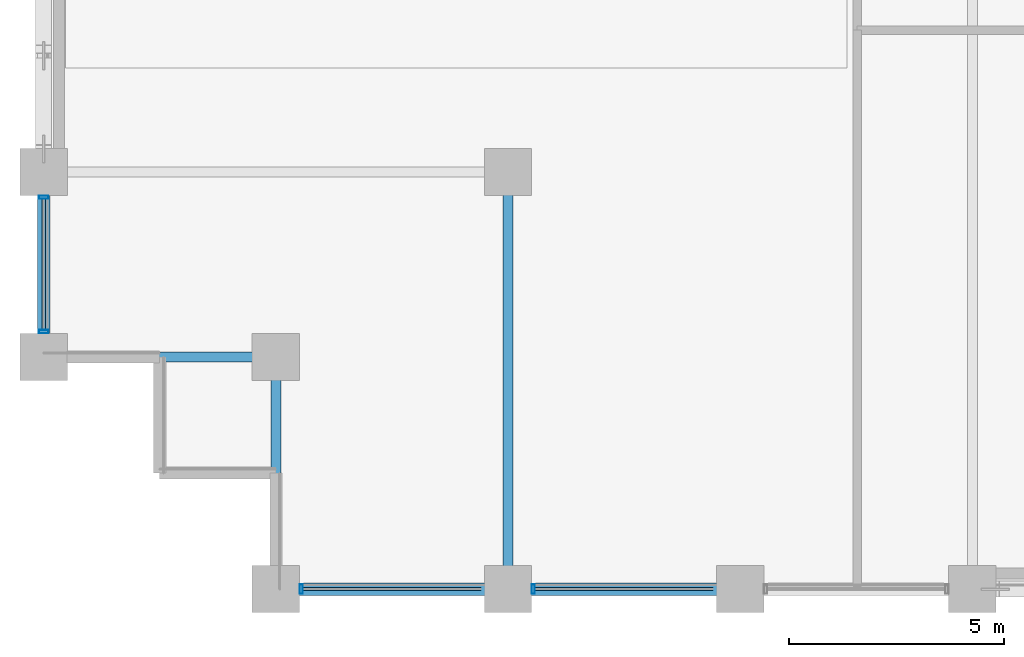
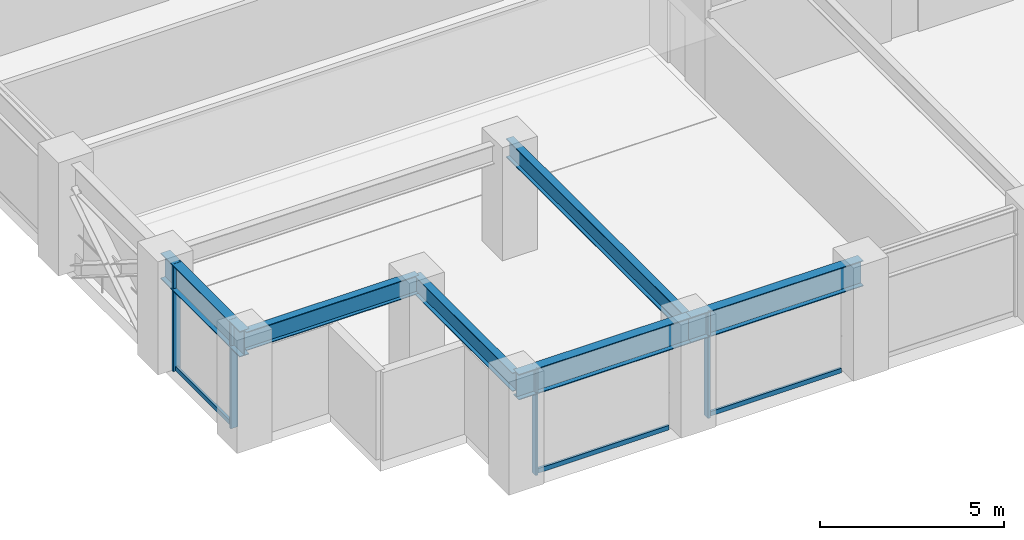
# One storey, part 3 of 30: 7 members, 6 beams, 2 elements without a shape of their own.
"""IFC4 building model written with IfcOpenShell, lengths in metres."""

import ifcopenshell
import ifcopenshell.guid

model = None  # the IFC model being written
_history = None  # IfcOwnerHistory: only IFC2X3 demands one
_inside = {}  # id of a spatial element -> (the spatial element, [elements in it])
_under = {}  # id of a project, library or spatial element -> (it, [spatial elements below it])
_declared = {}  # id of a project -> (the project, [libraries it declares])
_typed = {}  # id of a type object -> (the type object, [elements of that type])
_made_of = {}  # id of a material, layer set ... -> (it, [elements and type objects made of it])


def new_model(schema):
    """Start an empty IFC model of exactly this schema.

    Asked for "IFC4X3", IfcOpenShell would pick the latest addendum, in which some entities
    have other attributes; the version numbers below select the first issue.
    IFC2X3 requires an IfcOwnerHistory on every rooted entity: one is made here for all.
    """
    global model, _history
    if schema == "IFC4X3":
        model = ifcopenshell.file(schema_version=(4, 3, 0, 0))
    else:
        model = ifcopenshell.file(schema=schema)
    _inside.clear()
    _under.clear()
    _declared.clear()
    _typed.clear()
    _made_of.clear()
    _history = None
    if model.schema == "IFC2X3":
        org = make("IfcOrganization", Name="unknown")
        user = make(
            "IfcPersonAndOrganization",
            ThePerson=make("IfcPerson", FamilyName="unknown"),
            TheOrganization=org,
        )
        app = make(
            "IfcApplication",
            ApplicationDeveloper=org,
            Version="unknown",
            ApplicationFullName="unknown",
            ApplicationIdentifier="unknown",
        )
        _history = make(
            "IfcOwnerHistory",
            OwningUser=user,
            OwningApplication=app,
            ChangeAction="ADDED",
            CreationDate=0,
        )
    return model


def make(cls, **values):
    """One entity of the class cls with the attributes given. An attribute that is None is left unset."""
    return model.create_entity(
        cls, **{name: value for name, value in values.items() if value is not None}
    )


def rooted(cls, **values):
    """An entity with a GlobalId (a new one), such as an element, a storey or a relation."""
    return make(cls, GlobalId=ifcopenshell.guid.new(), OwnerHistory=_history, **values)


def si_unit(unit_type, name, prefix=None):
    """IfcSIUnit, for example si_unit("LENGTHUNIT", "METRE", prefix="MILLI")."""
    return make("IfcSIUnit", UnitType=unit_type, Prefix=prefix, Name=name)


def assignment(units):
    """IfcUnitAssignment: the units of a project."""
    return None if units is None else make("IfcUnitAssignment", Units=units)


def point(xyz):
    """IfcCartesianPoint."""
    return None if xyz is None else make("IfcCartesianPoint", Coordinates=xyz)


def direction(xyz):
    """IfcDirection."""
    return None if xyz is None else make("IfcDirection", DirectionRatios=xyz)


def frame(location, z_axis=None, x_axis=None):
    """IfcAxis2Placement3D, a coordinate frame: its origin and axes. An axis left out is left unset."""
    return make(
        "IfcAxis2Placement3D",
        Location=point(location),
        Axis=direction(z_axis),
        RefDirection=direction(x_axis),
    )


def frame_2d(location, x_axis=None):
    """IfcAxis2Placement2D, a coordinate frame in the plane: its origin and x axis."""
    return make(
        "IfcAxis2Placement2D", Location=point(location), RefDirection=direction(x_axis)
    )


def origin():
    """The frame at (0, 0, 0) with its axes left unset."""
    return frame((0.0, 0.0, 0.0))


def origin_2d():
    """The frame at (0, 0) in the plane with its x axis left unset."""
    return frame_2d((0.0, 0.0))


def place(relative_to, where):
    """IfcLocalPlacement: puts the frame where relative to a parent placement (None: the world)."""
    return make(
        "IfcLocalPlacement", PlacementRelTo=relative_to, RelativePlacement=where
    )


def context(
    kind, dimensions, precision=None, world=None, true_north=None, identifier=None
):
    """IfcGeometricRepresentationContext, for example the 3D "Model" context."""
    return make(
        "IfcGeometricRepresentationContext",
        ContextIdentifier=identifier,
        ContextType=kind,
        CoordinateSpaceDimension=dimensions,
        Precision=precision,
        WorldCoordinateSystem=world,
        TrueNorth=true_north,
    )


def subcontext(parent, identifier, kind, view, scale=None):
    """IfcGeometricRepresentationSubContext, for example "Body" below "Model"."""
    return make(
        "IfcGeometricRepresentationSubContext",
        ContextIdentifier=identifier,
        ContextType=kind,
        ParentContext=parent,
        TargetScale=scale,
        TargetView=view,
    )


def project(units=None, contexts=None):
    """IfcProject with its units and contexts."""
    return rooted(
        "IfcProject",
        Name="project",
        RepresentationContexts=contexts,
        UnitsInContext=assignment(units),
    )


def spatial(cls, under=None, at=None, **own):
    """A site, building, storey or space (cls), placed at a placement, below another one or the project."""
    s = rooted(cls, ObjectPlacement=at, **own)
    if under is not None:
        _under.setdefault(under.id(), (under, []))[1].append(s)
    return s


def profile(cls, at=None, kind="AREA", **sizes):
    """A parametric profile (cls). Its sizes go by their IFC names, for example OverallWidth=200.0."""
    return make(cls, ProfileType=kind, Position=at, **sizes)


def hollow_rectangle(**sizes):
    """IfcRectangleHollowProfileDef."""
    return profile("IfcRectangleHollowProfileDef", **sizes)


def i_section(**sizes):
    """IfcIShapeProfileDef."""
    return profile("IfcIShapeProfileDef", **sizes)


def extrude(swept, where, along, depth):
    """IfcExtrudedAreaSolid: the profile swept, set in the frame where, extruded along a direction by depth."""
    return make(
        "IfcExtrudedAreaSolid",
        SweptArea=swept,
        Position=where,
        ExtrudedDirection=direction(along),
        Depth=depth,
    )


def shape(context_of_items, identifier, shape_type, items):
    """IfcShapeRepresentation: the items that make up one representation, for example the "Body"."""
    return make(
        "IfcShapeRepresentation",
        ContextOfItems=context_of_items,
        RepresentationIdentifier=identifier,
        RepresentationType=shape_type,
        Items=items,
    )


def material(Name=None, Category=None):
    """IfcMaterial."""
    return make("IfcMaterial", Name=Name, Category=Category)


def layer(
    of_material, thickness, ventilated=None, Name=None, Category=None, Priority=None
):
    """IfcMaterialLayer: one layer of a wall or slab, of a material (None: an air gap)."""
    return make(
        "IfcMaterialLayer",
        Material=of_material,
        LayerThickness=thickness,
        IsVentilated=ventilated,
        Name=Name,
        Category=Category,
        Priority=Priority,
    )


def layer_set(layers, Name=None):
    """IfcMaterialLayerSet."""
    return make("IfcMaterialLayerSet", MaterialLayers=layers, LayerSetName=Name)


def material_profile(
    of_material, cross_section, Name=None, Category=None, Priority=None
):
    """IfcMaterialProfile: a cross section and its material."""
    return make(
        "IfcMaterialProfile",
        Name=Name,
        Material=of_material,
        Profile=cross_section,
        Priority=Priority,
        Category=Category,
    )


def profile_set(profiles, Name=None, composite=None):
    """IfcMaterialProfileSet."""
    return make(
        "IfcMaterialProfileSet",
        Name=Name,
        MaterialProfiles=profiles,
        CompositeProfile=composite,
    )


def made_of(thing, what):
    """Note that an element or type object is made of a material, layer set ...; save() writes the relation."""
    if what is not None:
        _made_of.setdefault(what.id(), (what, []))[1].append(thing)
    return thing


def type_object(cls, material=None, **own):
    """A type object (cls), such as IfcWallType, which elements share."""
    return made_of(rooted(cls, **own), material)


def element(
    cls,
    number,
    at=None,
    inside=None,
    cuts=None,
    type_object=None,
    material=None,
    context=None,
    identifier="Body",
    shape_type=None,
    held_by="IfcProductDefinitionShape",
    body=None,
    shapes=None,
    **own,
):
    """One element of the class cls, such as IfcWall. Its Tag is "e" and its number.

    at: its placement. inside: the storey or other place that contains it. cuts: it is an
    opening in that element (IfcRelVoidsElement). A single representation is given by context,
    identifier, shape_type and body (its items); several are given by shapes. held_by: the class
    of the entity that holds the representations. save() writes the other relations.
    """
    e = rooted(cls, Tag="e%d" % number, ObjectPlacement=at, **own)
    if body is not None:
        shapes = [shape(context, identifier, shape_type, body)]
    if shapes is not None:
        e.Representation = make(held_by, Representations=shapes)
    if inside is not None:
        _inside.setdefault(inside.id(), (inside, []))[1].append(e)
    if cuts is not None:
        rooted(
            "IfcRelVoidsElement", RelatingBuildingElement=cuts, RelatedOpeningElement=e
        )
    if type_object is not None:
        _typed.setdefault(type_object.id(), (type_object, []))[1].append(e)
    return made_of(e, material)


def aggregate(whole, parts):
    """IfcRelAggregates: a whole, such as a stair, and the parts it consists of."""
    return rooted("IfcRelAggregates", RelatingObject=whole, RelatedObjects=parts)


def save(model, path):
    """Write the relations noted so far, then the file.

    IfcRelAggregates (storeys below a building ...), IfcRelContainedInSpatialStructure (elements
    in a storey), IfcRelDefinesByType, IfcRelAssociatesMaterial and IfcRelDeclares: one each for
    every whole, place, type object, material and project.
    """
    for whole, parts in _under.values():
        aggregate(whole, parts)
    for where, things in _inside.values():
        rooted(
            "IfcRelContainedInSpatialStructure",
            RelatedElements=things,
            RelatingStructure=where,
        )
    for kind, things in _typed.values():
        rooted("IfcRelDefinesByType", RelatedObjects=things, RelatingType=kind)
    for what, things in _made_of.values():
        rooted("IfcRelAssociatesMaterial", RelatedObjects=things, RelatingMaterial=what)
    for by, libraries in _declared.values():
        rooted("IfcRelDeclares", RelatingContext=by, RelatedDefinitions=libraries)
    model.write(path)


model = new_model("IFC4")

# Units and contexts
model_context = context("Model", 3, precision=1e-05, world=origin(), true_north=direction((0.0, 1.0)))
body_context = subcontext(model_context, "Body", "Model", "MODEL_VIEW")
ifc_project = project(units=[si_unit("LENGTHUNIT", "METRE"), si_unit("AREAUNIT", "SQUARE_METRE"), si_unit("VOLUMEUNIT", "CUBIC_METRE"), si_unit("PLANEANGLEUNIT", "RADIAN"), si_unit("MASSUNIT", "GRAM", prefix="KILO")], contexts=[model_context])

# Site, building, storey
site_placement = place(None, origin())
site = spatial("IfcSite", under=ifc_project, at=site_placement, CompositionType="ELEMENT")
building_placement = place(site_placement, origin())
building = spatial("IfcBuilding", under=site, at=building_placement, Name="Surkhivell Harbour Commons", CompositionType="ELEMENT")
storey_placement = place(building_placement, frame((0.0, 0.0, 83.25)))
storey = spatial("IfcBuildingStorey", under=building, at=storey_placement, Name="L21", CompositionType="ELEMENT", Elevation=83.25)

# Beams
ifc_material_1 = material(Name="Steel S355", Category="steel")
ifc_material_profile_1 = material_profile(ifc_material_1, i_section(OverallWidth=0.22998046875, OverallDepth=0.616943359375, WebThickness=0.01318359375, FlangeThickness=0.022216796875, at=origin_2d()), Name="UB610x229x140")
ifc_profile_set_1 = profile_set([ifc_material_profile_1], Name="Steel S355")
beam_type_1 = type_object("IfcBeamType", Name="BM-GRD-610B", PredefinedType="BEAM", material=ifc_profile_set_1)
for number, where, z_axis, x_axis, name in (
    (1, (-32.39990234375, -20.5, 3.261474609375), (1.0, 0.0, 0.0), (0.0, 1.0, 0.0), "L21 Floor Girder (-32.4,-20.5)"),
    (2, (-27.0, -25.89990234375, 3.261474609375), (0.0, 1.0, 0.0), (-1.0, 0.0, 0.0), "L21 Floor Girder (-27.0,-25.9)"),
):
    element("IfcBeam", number, at=place(storey_placement, frame(where, z_axis=z_axis, x_axis=x_axis)), inside=storey, type_object=beam_type_1, Name=name, PredefinedType="BEAM", context=body_context, shape_type="SweptSolid", body=[
        extrude(i_section(OverallWidth=0.22998046875, OverallDepth=0.616943359375, WebThickness=0.01318359375, FlangeThickness=0.022216796875, at=origin_2d()), origin(), (0.0, 0.0, 1.0), 5.39990234375),
    ])
beam_1_placement = place(storey_placement, frame((-21.60009765625, -25.89990234375, 3.261474609375), z_axis=(0.0, 1.0, 0.0), x_axis=(-1.0, 0.0, 0.0)))
element("IfcBeam", 3, at=beam_1_placement, inside=storey, type_object=beam_type_1, Name="L21 Floor Girder (-21.6,-25.9)", PredefinedType="BEAM", context=body_context, shape_type="SweptSolid", body=[
    extrude(i_section(OverallWidth=0.22998046875, OverallDepth=0.616943359375, WebThickness=0.01318359375, FlangeThickness=0.022216796875, at=origin_2d()), origin(), (0.0, 0.0, 1.0), 9.699951171875),
])
ifc_material_2 = material(Name="Steel S460", Category="steel")
ifc_material_profile_2 = material_profile(ifc_material_2, i_section(OverallWidth=0.2939453125, OverallDepth=0.85107421875, WebThickness=0.01611328125, FlangeThickness=0.02685546875, at=origin_2d()), Name="UB838x292x226")
ifc_profile_set_2 = profile_set([ifc_material_profile_2], Name="Steel S460")
beam_type_2 = type_object("IfcBeamType", Name="BM-SPN-838", PredefinedType="SPANDREL", material=ifc_profile_set_2)
beam_2_placement = place(storey_placement, frame((-32.39990234375, -20.5, 3.14453125), z_axis=(0.0, 1.0, 0.0), x_axis=(-1.0, 0.0, 0.0)))
element("IfcBeam", 4, at=beam_2_placement, inside=storey, type_object=beam_type_2, Name="L21 Tube Spandrel (-32.4,-20.5)", PredefinedType="SPANDREL", context=body_context, shape_type="SweptSolid", body=[
    extrude(i_section(OverallWidth=0.2939453125, OverallDepth=0.85107421875, WebThickness=0.01611328125, FlangeThickness=0.02685546875, at=origin_2d()), origin(), (0.0, 0.0, 1.0), 4.300048828125),
])
beam_3_placement = place(storey_placement, frame((-27.0, -25.89990234375, 3.14453125), z_axis=(1.0, 0.0, 0.0), x_axis=(0.0, 1.0, 0.0)))
element("IfcBeam", 5, at=beam_3_placement, inside=storey, type_object=beam_type_2, Name="L21 Tube Spandrel (-27.0,-25.9)", PredefinedType="SPANDREL", context=body_context, shape_type="SweptSolid", body=[
    extrude(i_section(OverallWidth=0.2939453125, OverallDepth=0.85107421875, WebThickness=0.01611328125, FlangeThickness=0.02685546875, at=origin_2d()), origin(), (0.0, 0.0, 1.0), 5.39990234375),
])
beam_4_placement = place(storey_placement, frame((-21.60009765625, -25.89990234375, 3.14453125), z_axis=(1.0, 0.0, 0.0), x_axis=(0.0, 1.0, 0.0)))
element("IfcBeam", 6, at=beam_4_placement, inside=storey, type_object=beam_type_2, Name="L21 Tube Spandrel (-21.6,-25.9)", PredefinedType="SPANDREL", context=body_context, shape_type="SweptSolid", body=[
    extrude(i_section(OverallWidth=0.2939453125, OverallDepth=0.85107421875, WebThickness=0.01611328125, FlangeThickness=0.02685546875, at=origin_2d()), origin(), (0.0, 0.0, 1.0), 5.400146484375),
])

# Curtain wall, members
ifc_material_3 = material(Name="Anodised pale-metal aluminium and insulated glazing", Category="aluminium")
ifc_layer = layer(ifc_material_3, 0.205078125)
ifc_layer_set = layer_set([ifc_layer], Name="Anodised pale-metal aluminium and insulated glazing")
curtain_wall_type = type_object("IfcCurtainWallType", Name="CW-SYS-Z2", PredefinedType="NOTDEFINED", material=ifc_layer_set)
curtain_wall_1_placement = place(storey_placement, origin())
curtain_wall_1 = element("IfcCurtainWall", 7, at=curtain_wall_1_placement, inside=storey, type_object=curtain_wall_type, Name="L21 Curtain Wall CW-L21-E00S1", PredefinedType="NOTDEFINED")
ifc_material_4 = material(Name="Anodised pale-metal aluminium alloy 6063-T6", Category="aluminium")
ifc_material_profile_3 = material_profile(ifc_material_4, hollow_rectangle(XDim=0.074951171875, YDim=0.219970703125, WallThickness=0.00390625, at=origin_2d()), Name="ALU-MULL-75x220")
ifc_profile_set_3 = profile_set([ifc_material_profile_3], Name="Anodised pale-metal aluminium alloy 6063-T6")
member_type_1 = type_object("IfcMemberType", Name="CWM-220", PredefinedType="MULLION", material=ifc_profile_set_3)
member_1_placement = place(storey_placement, frame((-26.410400390625, -25.89990234375, 0.0), z_axis=(0.0, 0.0, 1.0), x_axis=(1.0, 0.0, 0.0)))
member_1 = element("IfcMember", 8, at=member_1_placement, type_object=member_type_1, Name="CW-Z2 mullion 1", PredefinedType="MULLION", context=body_context, shape_type="SweptSolid", body=[
    extrude(hollow_rectangle(XDim=0.074951171875, YDim=0.219970703125, WallThickness=0.00390625, at=origin_2d()), origin(), (0.0, 0.0, 1.0), 3.570068359375),
])
member_2_placement = place(storey_placement, frame((-21.010498046875, -25.89990234375, 0.0), z_axis=(0.0, 0.0, 1.0), x_axis=(1.0, 0.0, 0.0)))
member_2 = element("IfcMember", 9, at=member_2_placement, type_object=member_type_1, Name="CW-Z2 mullion 2", PredefinedType="MULLION", context=body_context, shape_type="SweptSolid", body=[
    extrude(hollow_rectangle(XDim=0.074951171875, YDim=0.219970703125, WallThickness=0.00390625, at=origin_2d()), origin(), (0.0, 0.0, 1.0), 3.570068359375),
])

curtain_wall_2_placement = place(storey_placement, origin())
curtain_wall_2 = element("IfcCurtainWall", 10, at=curtain_wall_2_placement, inside=storey, type_object=curtain_wall_type, Name="L21 Curtain Wall CW-L21-E12S2", PredefinedType="NOTDEFINED")
member_3_placement = place(storey_placement, frame((-32.39990234375, -16.78955078125, 0.0), z_axis=(0.0, 0.0, 1.0), x_axis=(0.0, -1.0, 0.0)))
member_3 = element("IfcMember", 11, at=member_3_placement, type_object=member_type_1, Name="CW-Z2 mullion 1", PredefinedType="MULLION", context=body_context, shape_type="SweptSolid", body=[
    extrude(hollow_rectangle(XDim=0.074951171875, YDim=0.219970703125, WallThickness=0.00390625, at=origin_2d()), origin(), (0.0, 0.0, 1.0), 3.570068359375),
])
member_4_placement = place(storey_placement, frame((-32.39990234375, -19.910400390625, 0.0), z_axis=(0.0, 0.0, 1.0), x_axis=(0.0, -1.0, 0.0)))
member_4 = element("IfcMember", 12, at=member_4_placement, type_object=member_type_1, Name="CW-Z2 mullion 2", PredefinedType="MULLION", context=body_context, shape_type="SweptSolid", body=[
    extrude(hollow_rectangle(XDim=0.074951171875, YDim=0.219970703125, WallThickness=0.00390625, at=origin_2d()), origin(), (0.0, 0.0, 1.0), 3.570068359375),
])

# Member
ifc_material_profile_4 = material_profile(ifc_material_4, hollow_rectangle(XDim=0.074951171875, YDim=0.14990234375, WallThickness=0.00341796875, at=origin_2d()), Name="ALU-TRAN-75x150")
ifc_profile_set_4 = profile_set([ifc_material_profile_4], Name="Anodised pale-metal aluminium alloy 6063-T6")
member_type_2 = type_object("IfcMemberType", Name="CWT-150", PredefinedType="USERDEFINED", material=ifc_profile_set_4)
member_5_placement = place(storey_placement, frame((-26.373046875, -25.89990234375, 0.074951171875), z_axis=(1.0, 0.0, 0.0), x_axis=(0.0, 1.0, 0.0)))
member_5 = element("IfcMember", 13, at=member_5_placement, type_object=member_type_2, Name="CW-Z2 transom 1.1", ObjectType="TRANSOM", PredefinedType="USERDEFINED", context=body_context, shape_type="SweptSolid", body=[
    extrude(hollow_rectangle(XDim=0.074951171875, YDim=0.14990234375, WallThickness=0.00341796875, at=origin_2d()), origin(), (0.0, 0.0, 1.0), 4.14599609375),
])

member_6_placement = place(storey_placement, frame((-20.972900390625, -25.89990234375, 0.074951171875), z_axis=(1.0, 0.0, 0.0), x_axis=(0.0, 1.0, 0.0)))
member_6 = element("IfcMember", 14, at=member_6_placement, type_object=member_type_2, Name="CW-Z2 transom 2.1", ObjectType="TRANSOM", PredefinedType="USERDEFINED", context=body_context, shape_type="SweptSolid", body=[
    extrude(hollow_rectangle(XDim=0.074951171875, YDim=0.14990234375, WallThickness=0.00341796875, at=origin_2d()), origin(), (0.0, 0.0, 1.0), 4.14599609375),
])

aggregate(curtain_wall_1, [member_1, member_5, member_2, member_6])

member_7_placement = place(storey_placement, frame((-32.39990234375, -16.826904296875, 0.074951171875), z_axis=(0.0, -1.0, 0.0), x_axis=(1.0, 0.0, 0.0)))
member_7 = element("IfcMember", 15, at=member_7_placement, type_object=member_type_2, Name="CW-Z2 transom 1.1", ObjectType="TRANSOM", PredefinedType="USERDEFINED", context=body_context, shape_type="SweptSolid", body=[
    extrude(hollow_rectangle(XDim=0.074951171875, YDim=0.14990234375, WallThickness=0.00341796875, at=origin_2d()), origin(), (0.0, 0.0, 1.0), 3.046142578125),
])

aggregate(curtain_wall_2, [member_3, member_4, member_7])

save(model, "model.ifc")
